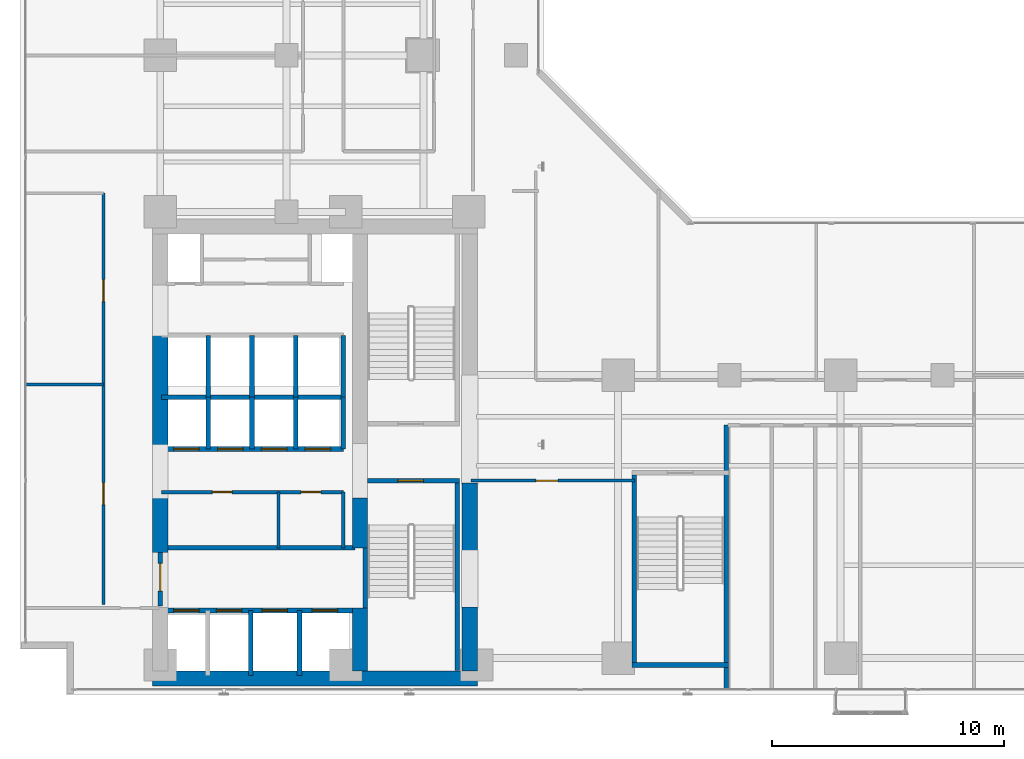
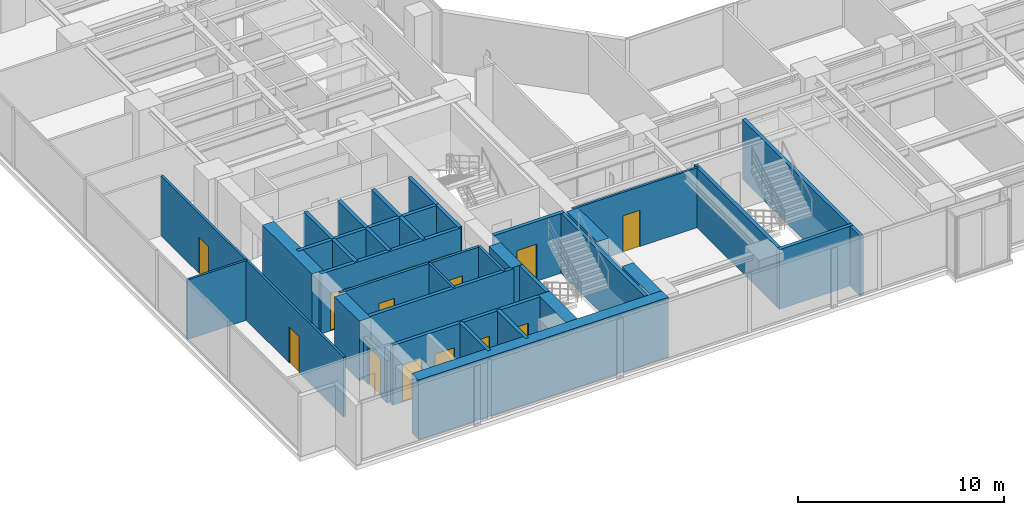
# One storey, part 20 of 27: 34 walls, 15 doors, 15 openings.
"""IFC4 building model written with IfcOpenShell, lengths in metres."""

from ifc_helpers import new_model, si_unit, direction, frame, frame_2d, origin, place, context, subcontext, project, spatial, rectangle, extrude, material, layer, layer_set, type_object, element, fill, save


model = new_model("IFC4")

# Units and contexts
model_context = context("Model", 3, precision=1e-05, world=origin(), true_north=direction((0.0, 1.0)))
body_context = subcontext(model_context, "Body", "Model", "MODEL_VIEW")
ifc_project = project(units=[si_unit("LENGTHUNIT", "METRE"), si_unit("AREAUNIT", "SQUARE_METRE"), si_unit("VOLUMEUNIT", "CUBIC_METRE"), si_unit("PLANEANGLEUNIT", "RADIAN"), si_unit("MASSUNIT", "GRAM", prefix="KILO")], contexts=[model_context])

# Site, building, storey
site_placement = place(None, origin())
site = spatial("IfcSite", under=ifc_project, at=site_placement, CompositionType="ELEMENT")
building_placement = place(site_placement, origin())
building = spatial("IfcBuilding", under=site, at=building_placement, Name="Kolvaren Waterfront Exchange", CompositionType="ELEMENT")
storey_placement = place(building_placement, frame((0.0, 0.0, 118.300048828125)))
storey = spatial("IfcBuildingStorey", under=building, at=storey_placement, Name="L30", CompositionType="ELEMENT", Elevation=118.300048828125)

# Wall, opening, door
ifc_material_1 = material(Name="Precast concrete C40/50", Category="concrete")
ifc_layer_1 = layer(ifc_material_1, 0.199951171875, Name="Precast concrete C40/50")
ifc_layer_set_1 = layer_set([ifc_layer_1], Name="Precast concrete C40/50")
wall_type_1 = type_object("IfcWallType", Name="ARC-FIRE-200", PredefinedType="PARTITIONING", material=ifc_layer_set_1)
wall_1_placement = place(storey_placement, frame((16.39990234375, 12.85009765625, 0.0), z_axis=(0.0, 0.0, 1.0), x_axis=(1.0, 0.0, 0.0)))
wall_1 = element("IfcWall", 1, at=wall_1_placement, inside=storey, type_object=wall_type_1, Name="L30 interior wall PW-L30-ST1-THROAT-S", PredefinedType="PARTITIONING", context=body_context, shape_type="SweptSolid", body=[
    extrude(rectangle(XDim=3.960205078125, YDim=0.199951171875, at=frame_2d((1.97998046875, 0.0))), origin(), (0.0, 0.0, 1.0), 3.5400390625),
])
opening_1_placement = place(wall_1_placement, frame((1.3037109375, 0.0, 0.0)))
opening_1 = element("IfcOpeningElement", 2, at=opening_1_placement, cuts=wall_1, Name="Opening FD2", PredefinedType="OPENING", context=body_context, shape_type="SweptSolid", body=[
    extrude(rectangle(XDim=1.10009765625, YDim=2.199951171875, at=frame_2d((0.550048828125, 1.10009765625))), frame((0.0, 0.10986328125, 0.0), z_axis=(0.0, -1.0, 0.0), x_axis=(1.0, 0.0, 0.0)), (0.0, 0.0, 1.0), 0.219970703125),
])
ifc_material_2 = material(Name="Pressed steel smoke-seal fire door", Category="steel")
door_type_1 = type_object("IfcDoorType", Name="ARC-FD-1100", OperationType="NOTDEFINED", PredefinedType="DOOR", material=ifc_material_2)
door_1_placement = place(opening_1_placement, frame((1.10009765625, 0.0, 0.0), z_axis=(0.0, 0.0, 1.0), x_axis=(-1.0, 0.0, 0.0)))
door_1 = element("IfcDoor", 3, at=door_1_placement, inside=storey, type_object=door_type_1, Name="L30 door DR-L30-ST1-IN (FD2)", OperationType="SINGLE_SWING_LEFT", OverallHeight=2.199951171875, OverallWidth=1.10009765625, PredefinedType="DOOR", context=body_context, shape_type="SweptSolid", body=[
    extrude(rectangle(XDim=1.10009765625, YDim=2.199951171875, at=frame_2d((0.550048828125, 1.10009765625))), frame((0.0, 0.02490234375, 0.0), z_axis=(0.0, -1.0, 0.0), x_axis=(1.0, 0.0, 0.0)), (0.0, 0.0, 1.0), 0.050048828125),
])
fill(opening_1, door_1)

# Wall
wall_2_placement = place(storey_placement, frame((7.5, 9.949951171875, 0.0), z_axis=(0.0, 0.0, 1.0), x_axis=(1.0, 0.0, 0.0)))
element("IfcWall", 4, at=wall_2_placement, inside=storey, type_object=wall_type_1, Name="L30 interior wall PW-L30-FF-N", PredefinedType="PARTITIONING", context=body_context, shape_type="SweptSolid", body=[
    extrude(rectangle(XDim=8.35009765625, YDim=0.199951171875, at=frame_2d((4.175048828125, 0.0))), origin(), (0.0, 0.0, 1.0), 3.5400390625),
])

# Wall, opening, door
wall_3_placement = place(storey_placement, frame((7.449951171875, 7.449951171875, 0.0), z_axis=(0.0, 0.0, 1.0), x_axis=(0.0, 1.0, 0.0)))
wall_3 = element("IfcWall", 5, at=wall_3_placement, inside=storey, type_object=wall_type_1, Name="L30 interior wall PW-L30-FF-W-DOOR", PredefinedType="PARTITIONING", context=body_context, shape_type="SweptSolid", body=[
    extrude(rectangle(XDim=2.300048828125, YDim=0.199951171875, at=frame_2d((1.14990234375, 0.0))), origin(), (0.0, 0.0, 1.0), 2.52001953125),
])
opening_2_placement = place(wall_3_placement, frame((0.63330078125, 0.0, 0.0)))
opening_2 = element("IfcOpeningElement", 6, at=opening_2_placement, cuts=wall_3, Name="Opening FD3", PredefinedType="OPENING", context=body_context, shape_type="SweptSolid", body=[
    extrude(rectangle(XDim=1.199951171875, YDim=2.25, at=frame_2d((0.60009765625, 1.125))), frame((0.0, 0.10986328125, 0.0), z_axis=(0.0, -1.0, 0.0), x_axis=(1.0, 0.0, 0.0)), (0.0, 0.0, 1.0), 0.219970703125),
])
ifc_material_3 = material(Name="Pressed steel fire door", Category="steel")
door_type_2 = type_object("IfcDoorType", Name="ARC-FD-1200", OperationType="NOTDEFINED", PredefinedType="DOOR", material=ifc_material_3)
door_2_placement = place(opening_2_placement, frame((1.199951171875, 0.0, 0.0), z_axis=(0.0, 0.0, 1.0), x_axis=(-1.0, 0.0, 0.0)))
door_2 = element("IfcDoor", 7, at=door_2_placement, inside=storey, type_object=door_type_2, Name="L30 door DR-L30-FF-OUT (FD3)", OperationType="SINGLE_SWING_RIGHT", OverallHeight=2.25, OverallWidth=1.199951171875, PredefinedType="DOOR", context=body_context, shape_type="SweptSolid", body=[
    extrude(rectangle(XDim=1.199951171875, YDim=2.25, at=frame_2d((0.60009765625, 1.125))), frame((0.0, 0.02490234375, 0.0), z_axis=(0.0, -1.0, 0.0), x_axis=(1.0, 0.0, 0.0)), (0.0, 0.0, 1.0), 0.050048828125),
])
fill(opening_2, door_2)

# Wall
ifc_material_4 = material(Name="Acoustic gypsum steel stud", Category="steel")
ifc_layer_2 = layer(ifc_material_4, 0.125, Name="Acoustic gypsum steel stud")
ifc_layer_set_2 = layer_set([ifc_layer_2], Name="Acoustic gypsum steel stud")
wall_type_2 = type_object("IfcWallType", Name="ARC-PART-125", PredefinedType="PARTITIONING", material=ifc_layer_set_2)
wall_4_placement = place(storey_placement, frame((12.550048828125, 9.949951171875, 0.0), z_axis=(0.0, 0.0, 1.0), x_axis=(0.0, 1.0, 0.0)))
element("IfcWall", 8, at=wall_4_placement, inside=storey, type_object=wall_type_2, Name="L30 interior wall PW-L30-REC-PL-MID", PredefinedType="PARTITIONING", context=body_context, shape_type="SweptSolid", body=[
    extrude(rectangle(XDim=2.41015625, YDim=0.125, at=frame_2d((1.205078125, 0.0))), origin(), (0.0, 0.0, 1.0), 3.5400390625),
])

# Wall, openings, doors
wall_5_placement = place(storey_placement, frame((5.0, 7.5, 0.0), z_axis=(0.0, 0.0, 1.0), x_axis=(0.0, 1.0, 0.0)))
wall_5 = element("IfcWall", 9, at=wall_5_placement, inside=storey, type_object=wall_type_2, Name="L30 interior wall PW-L30-WFLANK-E", PredefinedType="PARTITIONING", context=body_context, shape_type="SweptSolid", body=[
    extrude(rectangle(XDim=17.75, YDim=0.125, at=frame_2d((8.875, 0.0))), origin(), (0.0, 0.0, 1.0), 3.5400390625),
])
opening_3_placement = place(wall_5_placement, frame((4.320068359375, 0.0, 0.0)))
opening_3 = element("IfcOpeningElement", 10, at=opening_3_placement, cuts=wall_5, Name="Opening D02", PredefinedType="OPENING", context=body_context, shape_type="SweptSolid", body=[
    extrude(rectangle(XDim=0.949951171875, YDim=2.14990234375, at=frame_2d((0.47509765625, 1.074951171875))), frame((0.0, 0.072509765625, 0.0), z_axis=(0.0, -1.0, 0.0), x_axis=(1.0, 0.0, 0.0)), (0.0, 0.0, 1.0), 0.14501953125),
])
opening_4_placement = place(wall_5_placement, frame((13.078857421875, 0.0, 0.0)))
opening_4 = element("IfcOpeningElement", 11, at=opening_4_placement, cuts=wall_5, Name="Opening D02", PredefinedType="OPENING", context=body_context, shape_type="SweptSolid", body=[
    extrude(rectangle(XDim=0.949951171875, YDim=2.14990234375, at=frame_2d((0.47509765625, 1.074951171875))), frame((0.0, 0.072509765625, 0.0), z_axis=(0.0, -1.0, 0.0), x_axis=(1.0, 0.0, 0.0)), (0.0, 0.0, 1.0), 0.14501953125),
])
ifc_material_5 = material(Name="Oak veneer acoustic timber", Category="wood")
door_type_3 = type_object("IfcDoorType", Name="ARC-DR-950", OperationType="NOTDEFINED", PredefinedType="DOOR", material=ifc_material_5)
door_3_placement = place(opening_3_placement, origin())
door_3 = element("IfcDoor", 12, at=door_3_placement, inside=storey, type_object=door_type_3, Name="L30 door DR-L30-WFL1-D (D02)", OperationType="SINGLE_SWING_LEFT", OverallHeight=2.14990234375, OverallWidth=0.949951171875, PredefinedType="DOOR", context=body_context, shape_type="SweptSolid", body=[
    extrude(rectangle(XDim=0.949951171875, YDim=2.14990234375, at=frame_2d((0.47509765625, 1.074951171875))), frame((0.0, 0.02490234375, 0.0), z_axis=(0.0, -1.0, 0.0), x_axis=(1.0, 0.0, 0.0)), (0.0, 0.0, 1.0), 0.050048828125),
])
fill(opening_3, door_3)
door_4_placement = place(opening_4_placement, origin())
door_4 = element("IfcDoor", 13, at=door_4_placement, inside=storey, type_object=door_type_3, Name="L30 door DR-L30-WFL2-D (D02)", OperationType="SINGLE_SWING_RIGHT", OverallHeight=2.14990234375, OverallWidth=0.949951171875, PredefinedType="DOOR", context=body_context, shape_type="SweptSolid", body=[
    extrude(rectangle(XDim=0.949951171875, YDim=2.14990234375, at=frame_2d((0.47509765625, 1.074951171875))), frame((0.0, 0.02490234375, 0.0), z_axis=(0.0, -1.0, 0.0), x_axis=(1.0, 0.0, 0.0)), (0.0, 0.0, 1.0), 0.050048828125),
])
fill(opening_4, door_4)

# Wall
wall_6_placement = place(storey_placement, frame((1.639892578125, 17.0, 0.0), z_axis=(0.0, 0.0, 1.0), x_axis=(1.0, 0.0, 0.0)))
element("IfcWall", 14, at=wall_6_placement, inside=storey, type_object=wall_type_2, Name="L30 interior wall PW-L30-WFLANK-MID", PredefinedType="PARTITIONING", context=body_context, shape_type="SweptSolid", body=[
    extrude(rectangle(XDim=3.360107421875, YDim=0.125, at=frame_2d((1.68017578125, 0.0))), origin(), (0.0, 0.0, 1.0), 3.5400390625),
])

# Wall, opening, door
wall_7_placement = place(storey_placement, frame((20.85009765625, 12.85009765625, 0.0), z_axis=(0.0, 0.0, 1.0), x_axis=(1.0, 0.0, 0.0)))
wall_7 = element("IfcWall", 15, at=wall_7_placement, inside=storey, type_object=wall_type_2, Name="L30 interior wall PW-L30-SWST3-N", PredefinedType="PARTITIONING", context=body_context, shape_type="SweptSolid", body=[
    extrude(rectangle(XDim=7.0498046875, YDim=0.125, at=frame_2d((3.52490234375, 0.0))), origin(), (0.0, 0.0, 1.0), 3.5400390625),
])
opening_5_placement = place(wall_7_placement, frame((2.800048828125, 0.0, 0.0)))
opening_5 = element("IfcOpeningElement", 16, at=opening_5_placement, cuts=wall_7, Name="Opening D02", PredefinedType="OPENING", context=body_context, shape_type="SweptSolid", body=[
    extrude(rectangle(XDim=0.949951171875, YDim=2.14990234375, at=frame_2d((0.47509765625, 1.074951171875))), frame((0.0, 0.072509765625, 0.0), z_axis=(0.0, -1.0, 0.0), x_axis=(1.0, 0.0, 0.0)), (0.0, 0.0, 1.0), 0.14501953125),
])
door_5_placement = place(opening_5_placement, origin())
door_5 = element("IfcDoor", 17, at=door_5_placement, inside=storey, type_object=door_type_3, Name="L30 door DR-L30-SWST3-D (D02)", OperationType="SINGLE_SWING_LEFT", OverallHeight=2.14990234375, OverallWidth=0.949951171875, PredefinedType="DOOR", context=body_context, shape_type="SweptSolid", body=[
    extrude(rectangle(XDim=0.949951171875, YDim=2.14990234375, at=frame_2d((0.47509765625, 1.074951171875))), frame((0.0, 0.02490234375, 0.0), z_axis=(0.0, -1.0, 0.0), x_axis=(1.0, 0.0, 0.0)), (0.0, 0.0, 1.0), 0.050048828125),
])
fill(opening_5, door_5)

# Wall, openings, doors
ifc_material_6 = material(Name="Gypsum fireboard steel stud", Category="steel")
ifc_layer_3 = layer(ifc_material_6, 0.14990234375, Name="Gypsum fireboard steel stud")
ifc_layer_set_3 = layer_set([ifc_layer_3], Name="Gypsum fireboard steel stud")
wall_type_3 = type_object("IfcWallType", Name="ARC-PART-150", PredefinedType="PARTITIONING", material=ifc_layer_set_3)
wall_8_placement = place(storey_placement, frame((7.5, 12.360107421875, 0.0), z_axis=(0.0, 0.0, 1.0), x_axis=(1.0, 0.0, 0.0)))
wall_8 = element("IfcWall", 18, at=wall_8_placement, inside=storey, type_object=wall_type_3, Name="L30 interior wall PW-L30-REC-PL-N", PredefinedType="PARTITIONING", context=body_context, shape_type="SweptSolid", body=[
    extrude(rectangle(XDim=7.85009765625, YDim=0.14990234375, at=frame_2d((3.925048828125, 0.0))), origin(), (0.0, 0.0, 1.0), 3.5400390625),
])
opening_6_placement = place(wall_8_placement, frame((2.202392578125, 0.0, 0.0)))
opening_6 = element("IfcOpeningElement", 19, at=opening_6_placement, cuts=wall_8, Name="Opening D01", PredefinedType="OPENING", context=body_context, shape_type="SweptSolid", body=[
    extrude(rectangle(XDim=0.85009765625, YDim=2.14990234375, at=frame_2d((0.425048828125, 1.074951171875))), frame((0.0, 0.0849609375, 0.0), z_axis=(0.0, -1.0, 0.0), x_axis=(1.0, 0.0, 0.0)), (0.0, 0.0, 1.0), 0.169921875),
])
opening_7_placement = place(wall_8_placement, frame((6.02490234375, 0.0, 0.0)))
opening_7 = element("IfcOpeningElement", 20, at=opening_7_placement, cuts=wall_8, Name="Opening D01", PredefinedType="OPENING", context=body_context, shape_type="SweptSolid", body=[
    extrude(rectangle(XDim=0.85009765625, YDim=2.14990234375, at=frame_2d((0.425048828125, 1.074951171875))), frame((0.0, 0.0849609375, 0.0), z_axis=(0.0, -1.0, 0.0), x_axis=(1.0, 0.0, 0.0)), (0.0, 0.0, 1.0), 0.169921875),
])
ifc_material_7 = material(Name="Oak veneer timber leaf", Category="wood")
door_type_4 = type_object("IfcDoorType", Name="ARC-DR-900", OperationType="NOTDEFINED", PredefinedType="DOOR", material=ifc_material_7)
door_6_placement = place(opening_6_placement, origin())
door_6 = element("IfcDoor", 21, at=door_6_placement, inside=storey, type_object=door_type_4, Name="L30 door DR-L30-REC-PL-D1 (D01)", OperationType="SINGLE_SWING_LEFT", OverallHeight=2.14990234375, OverallWidth=0.85009765625, PredefinedType="DOOR", context=body_context, shape_type="SweptSolid", body=[
    extrude(rectangle(XDim=0.85009765625, YDim=2.14990234375, at=frame_2d((0.425048828125, 1.074951171875))), frame((0.0, 0.02490234375, 0.0), z_axis=(0.0, -1.0, 0.0), x_axis=(1.0, 0.0, 0.0)), (0.0, 0.0, 1.0), 0.050048828125),
])
fill(opening_6, door_6)
door_7_placement = place(opening_7_placement, origin())
door_7 = element("IfcDoor", 22, at=door_7_placement, inside=storey, type_object=door_type_4, Name="L30 door DR-L30-REC-PL-D2 (D01)", OperationType="SINGLE_SWING_RIGHT", OverallHeight=2.14990234375, OverallWidth=0.85009765625, PredefinedType="DOOR", context=body_context, shape_type="SweptSolid", body=[
    extrude(rectangle(XDim=0.85009765625, YDim=2.14990234375, at=frame_2d((0.425048828125, 1.074951171875))), frame((0.0, 0.02490234375, 0.0), z_axis=(0.0, -1.0, 0.0), x_axis=(1.0, 0.0, 0.0)), (0.0, 0.0, 1.0), 0.050048828125),
])
fill(opening_7, door_7)

# Walls
wall_9_placement = place(storey_placement, frame((15.35009765625, 9.949951171875, 0.0), z_axis=(0.0, 0.0, 1.0), x_axis=(0.0, 1.0, 0.0)))
element("IfcWall", 23, at=wall_9_placement, inside=storey, type_object=wall_type_3, Name="L30 interior wall PW-L30-REC-PL-E", PredefinedType="PARTITIONING", context=body_context, shape_type="SweptSolid", body=[
    extrude(rectangle(XDim=2.41015625, YDim=0.14990234375, at=frame_2d((1.205078125, 0.0))), origin(), (0.0, 0.0, 1.0), 3.5400390625),
])
ifc_material_8 = material(Name="Concrete C40/50", Category="concrete")
ifc_layer_4 = layer(ifc_material_8, 0.199951171875, Name="Concrete C40/50")
ifc_layer_set_4 = layer_set([ifc_layer_4], Name="Concrete C40/50")
wall_type_4 = type_object("IfcWallType", Name="ARC-SHAFT-200", PredefinedType="PARTITIONING", material=ifc_layer_set_4)
wall_10_placement = place(storey_placement, frame((16.300048828125, 7.360107421875, 0.0), z_axis=(0.0, 0.0, 1.0), x_axis=(0.0, 1.0, 0.0)))
element("IfcWall", 24, at=wall_10_placement, inside=storey, type_object=wall_type_4, Name="L30 structural stairwell wall PW-L30-ST1-W", PredefinedType="SHEAR", context=body_context, shape_type="SweptSolid", body=[
    extrude(rectangle(XDim=2.579833984375, YDim=0.199951171875, at=frame_2d((1.2900390625, 0.0))), origin(), (0.0, 0.0, 1.0), 3.5400390625),
])
wall_11_placement = place(storey_placement, frame((20.260009765625, 4.659912109375, 0.0), z_axis=(0.0, 0.0, 1.0), x_axis=(0.0, 1.0, 0.0)))
element("IfcWall", 25, at=wall_11_placement, inside=storey, type_object=wall_type_4, Name="L30 structural stairwell wall PW-L30-ST1-E", PredefinedType="SHEAR", context=body_context, shape_type="SweptSolid", body=[
    extrude(rectangle(XDim=8.090087890625, YDim=0.199951171875, at=frame_2d((4.044921875, 0.0))), origin(), (0.0, 0.0, 1.0), 3.5400390625),
])
wall_12_placement = place(storey_placement, frame((27.89990234375, 5.0, 0.0), z_axis=(0.0, 0.0, 1.0), x_axis=(0.0, 1.0, 0.0)))
element("IfcWall", 26, at=wall_12_placement, inside=storey, type_object=wall_type_4, Name="L30 structural stairwell wall PW-L30-ST3-W", PredefinedType="SHEAR", context=body_context, shape_type="SweptSolid", body=[
    extrude(rectangle(XDim=8.10009765625, YDim=0.199951171875, at=frame_2d((4.050048828125, 0.0))), origin(), (0.0, 0.0, 1.0), 3.5400390625),
])
wall_13_placement = place(storey_placement, frame((31.860107421875, 3.840087890625, 0.0), z_axis=(0.0, 0.0, 1.0), x_axis=(0.0, 1.0, 0.0)))
element("IfcWall", 27, at=wall_13_placement, inside=storey, type_object=wall_type_4, Name="L30 structural stairwell wall PW-L30-ST3-E", PredefinedType="SHEAR", context=body_context, shape_type="SweptSolid", body=[
    extrude(rectangle(XDim=11.409912109375, YDim=0.199951171875, at=frame_2d((5.705078125, 0.0))), origin(), (0.0, 0.0, 1.0), 3.5400390625),
])
wall_14_placement = place(storey_placement, frame((27.800048828125, 4.89990234375, 0.0), z_axis=(0.0, 0.0, 1.0), x_axis=(1.0, 0.0, 0.0)))
element("IfcWall", 28, at=wall_14_placement, inside=storey, type_object=wall_type_4, Name="L30 structural stairwell wall PW-L30-ST3-S", PredefinedType="SHEAR", context=body_context, shape_type="SweptSolid", body=[
    extrude(rectangle(XDim=4.159912109375, YDim=0.199951171875, at=frame_2d((2.080078125, 0.0))), origin(), (0.0, 0.0, 1.0), 3.5400390625),
])

# Wall, openings, doors
wall_15_placement = place(storey_placement, frame((7.5, 7.25, 0.0), z_axis=(0.0, 0.0, 1.0), x_axis=(1.0, 0.0, 0.0)))
wall_15 = element("IfcWall", 29, at=wall_15_placement, inside=storey, type_object=wall_type_4, Name="L30 interior wall PW-L30-FF-S", PredefinedType="PARTITIONING", context=body_context, shape_type="SweptSolid", body=[
    extrude(rectangle(XDim=8.35009765625, YDim=0.199951171875, at=frame_2d((4.175048828125, 0.0))), origin(), (0.0, 0.0, 1.0), 3.5400390625),
])
opening_8_placement = place(wall_15_placement, frame((0.530029296875, 0.0, 0.0)))
opening_8 = element("IfcOpeningElement", 30, at=opening_8_placement, cuts=wall_15, Name="Opening LD1", PredefinedType="OPENING", context=body_context, shape_type="SweptSolid", body=[
    extrude(rectangle(XDim=1.10009765625, YDim=2.199951171875, at=frame_2d((0.550048828125, 1.10009765625))), frame((0.0, 0.10986328125, 0.0), z_axis=(0.0, -1.0, 0.0), x_axis=(1.0, 0.0, 0.0)), (0.0, 0.0, 1.0), 0.219970703125),
])
opening_9_placement = place(wall_15_placement, frame((2.3701171875, 0.0, 0.0)))
opening_9 = element("IfcOpeningElement", 31, at=opening_9_placement, cuts=wall_15, Name="Opening LD1", PredefinedType="OPENING", context=body_context, shape_type="SweptSolid", body=[
    extrude(rectangle(XDim=1.10009765625, YDim=2.199951171875, at=frame_2d((0.550048828125, 1.10009765625))), frame((0.0, 0.10986328125, 0.0), z_axis=(0.0, -1.0, 0.0), x_axis=(1.0, 0.0, 0.0)), (0.0, 0.0, 1.0), 0.219970703125),
])
opening_10_placement = place(wall_15_placement, frame((4.330078125, 0.0, 0.0)))
opening_10 = element("IfcOpeningElement", 32, at=opening_10_placement, cuts=wall_15, Name="Opening LD1", PredefinedType="OPENING", context=body_context, shape_type="SweptSolid", body=[
    extrude(rectangle(XDim=1.10009765625, YDim=2.199951171875, at=frame_2d((0.550048828125, 1.10009765625))), frame((0.0, 0.10986328125, 0.0), z_axis=(0.0, -1.0, 0.0), x_axis=(1.0, 0.0, 0.0)), (0.0, 0.0, 1.0), 0.219970703125),
])
opening_11_placement = place(wall_15_placement, frame((6.5, 0.0, 0.0)))
opening_11 = element("IfcOpeningElement", 33, at=opening_11_placement, cuts=wall_15, Name="Opening LD1", PredefinedType="OPENING", context=body_context, shape_type="SweptSolid", body=[
    extrude(rectangle(XDim=1.10009765625, YDim=2.199951171875, at=frame_2d((0.550048828125, 1.10009765625))), frame((0.0, 0.10986328125, 0.0), z_axis=(0.0, -1.0, 0.0), x_axis=(1.0, 0.0, 0.0)), (0.0, 0.0, 1.0), 0.219970703125),
])
ifc_material_9 = material(Name="Stainless steel sliding landing door", Category="steel")
door_type_5 = type_object("IfcDoorType", Name="ARC-LD-FF", OperationType="SLIDING_TO_LEFT", PredefinedType="DOOR", material=ifc_material_9)
door_8_placement = place(opening_8_placement, origin())
door_8 = element("IfcDoor", 34, at=door_8_placement, inside=storey, type_object=door_type_5, Name="L30 door LD-L30-FFL1 (LD1)", OperationType="SLIDING_TO_LEFT", OverallHeight=2.199951171875, OverallWidth=1.10009765625, PredefinedType="DOOR", context=body_context, shape_type="SweptSolid", body=[
    extrude(rectangle(XDim=1.10009765625, YDim=2.199951171875, at=frame_2d((0.550048828125, 1.10009765625))), frame((0.0, 0.02490234375, 0.0), z_axis=(0.0, -1.0, 0.0), x_axis=(1.0, 0.0, 0.0)), (0.0, 0.0, 1.0), 0.050048828125),
])
fill(opening_8, door_8)
door_9_placement = place(opening_9_placement, origin())
door_9 = element("IfcDoor", 35, at=door_9_placement, inside=storey, type_object=door_type_5, Name="L30 door LD-L30-FFL2 (LD1)", OperationType="SLIDING_TO_LEFT", OverallHeight=2.199951171875, OverallWidth=1.10009765625, PredefinedType="DOOR", context=body_context, shape_type="SweptSolid", body=[
    extrude(rectangle(XDim=1.10009765625, YDim=2.199951171875, at=frame_2d((0.550048828125, 1.10009765625))), frame((0.0, 0.02490234375, 0.0), z_axis=(0.0, -1.0, 0.0), x_axis=(1.0, 0.0, 0.0)), (0.0, 0.0, 1.0), 0.050048828125),
])
fill(opening_9, door_9)
door_10_placement = place(opening_10_placement, origin())
door_10 = element("IfcDoor", 36, at=door_10_placement, inside=storey, type_object=door_type_5, Name="L30 door LD-L30-GL1 (LD1)", OperationType="SLIDING_TO_LEFT", OverallHeight=2.199951171875, OverallWidth=1.10009765625, PredefinedType="DOOR", context=body_context, shape_type="SweptSolid", body=[
    extrude(rectangle(XDim=1.10009765625, YDim=2.199951171875, at=frame_2d((0.550048828125, 1.10009765625))), frame((0.0, 0.02490234375, 0.0), z_axis=(0.0, -1.0, 0.0), x_axis=(1.0, 0.0, 0.0)), (0.0, 0.0, 1.0), 0.050048828125),
])
fill(opening_10, door_10)
door_11_placement = place(opening_11_placement, origin())
door_11 = element("IfcDoor", 37, at=door_11_placement, inside=storey, type_object=door_type_5, Name="L30 door LD-L30-GL2 (LD1)", OperationType="SLIDING_TO_LEFT", OverallHeight=2.199951171875, OverallWidth=1.10009765625, PredefinedType="DOOR", context=body_context, shape_type="SweptSolid", body=[
    extrude(rectangle(XDim=1.10009765625, YDim=2.199951171875, at=frame_2d((0.550048828125, 1.10009765625))), frame((0.0, 0.02490234375, 0.0), z_axis=(0.0, -1.0, 0.0), x_axis=(1.0, 0.0, 0.0)), (0.0, 0.0, 1.0), 0.050048828125),
])
fill(opening_11, door_11)

# Walls
for number, where, z_axis, x_axis, name in (
    (38, (11.360107421875, 4.449951171875, 0.0), (0.0, 0.0, 1.0), (0.0, 1.0, 0.0), "L30 interior wall PW-L30-SH1-DIV-113"),
    (39, (13.4599609375, 4.449951171875, 0.0), (0.0, 0.0, 1.0), (0.0, 1.0, 0.0), "L30 interior wall PW-L30-SH1-DIV-134"),
):
    element("IfcWall", number, at=place(storey_placement, frame(where, z_axis=z_axis, x_axis=x_axis)), inside=storey, type_object=wall_type_4, Name=name, PredefinedType="PARTITIONING", context=body_context, shape_type="SweptSolid", body=[
        extrude(rectangle(XDim=2.800048828125, YDim=0.199951171875, at=frame_2d((1.39990234375, 0.0))), origin(), (0.0, 0.0, 1.0), 3.5400390625),
    ])

# Wall, openings, doors
wall_16_placement = place(storey_placement, frame((7.5, 14.219970703125, 0.0), z_axis=(0.0, 0.0, 1.0), x_axis=(1.0, 0.0, 0.0)))
wall_16 = element("IfcWall", 40, at=wall_16_placement, inside=storey, type_object=wall_type_4, Name="L30 interior wall PW-L30-PM-S", PredefinedType="PARTITIONING", context=body_context, shape_type="SweptSolid", body=[
    extrude(rectangle(XDim=7.85009765625, YDim=0.199951171875, at=frame_2d((3.925048828125, 0.0))), origin(), (0.0, 0.0, 1.0), 3.5400390625),
])
opening_12_placement = place(wall_16_placement, frame((0.530029296875, 0.0, 0.0)))
opening_12 = element("IfcOpeningElement", 41, at=opening_12_placement, cuts=wall_16, Name="Opening LD2", PredefinedType="OPENING", context=body_context, shape_type="SweptSolid", body=[
    extrude(rectangle(XDim=1.10009765625, YDim=2.199951171875, at=frame_2d((0.550048828125, 1.10009765625))), frame((0.0, 0.10986328125, 0.0), z_axis=(0.0, -1.0, 0.0), x_axis=(1.0, 0.0, 0.0)), (0.0, 0.0, 1.0), 0.219970703125),
])
opening_13_placement = place(wall_16_placement, frame((2.419921875, 0.0, 0.0)))
opening_13 = element("IfcOpeningElement", 42, at=opening_13_placement, cuts=wall_16, Name="Opening LD2", PredefinedType="OPENING", context=body_context, shape_type="SweptSolid", body=[
    extrude(rectangle(XDim=1.10009765625, YDim=2.199951171875, at=frame_2d((0.550048828125, 1.10009765625))), frame((0.0, 0.10986328125, 0.0), z_axis=(0.0, -1.0, 0.0), x_axis=(1.0, 0.0, 0.0)), (0.0, 0.0, 1.0), 0.219970703125),
])
opening_14_placement = place(wall_16_placement, frame((4.31005859375, 0.0, 0.0)))
opening_14 = element("IfcOpeningElement", 43, at=opening_14_placement, cuts=wall_16, Name="Opening LD2", PredefinedType="OPENING", context=body_context, shape_type="SweptSolid", body=[
    extrude(rectangle(XDim=1.10009765625, YDim=2.199951171875, at=frame_2d((0.550048828125, 1.10009765625))), frame((0.0, 0.10986328125, 0.0), z_axis=(0.0, -1.0, 0.0), x_axis=(1.0, 0.0, 0.0)), (0.0, 0.0, 1.0), 0.219970703125),
])
opening_15_placement = place(wall_16_placement, frame((6.199951171875, 0.0, 0.0)))
opening_15 = element("IfcOpeningElement", 44, at=opening_15_placement, cuts=wall_16, Name="Opening LD2", PredefinedType="OPENING", context=body_context, shape_type="SweptSolid", body=[
    extrude(rectangle(XDim=1.10009765625, YDim=2.199951171875, at=frame_2d((0.550048828125, 1.10009765625))), frame((0.0, 0.10986328125, 0.0), z_axis=(0.0, -1.0, 0.0), x_axis=(1.0, 0.0, 0.0)), (0.0, 0.0, 1.0), 0.219970703125),
])
ifc_material_10 = material(Name="Brushed bronze sliding landing door", Category="aluminium")
door_type_6 = type_object("IfcDoorType", Name="ARC-LD-PAX", OperationType="SLIDING_TO_LEFT", PredefinedType="DOOR", material=ifc_material_10)
door_12_placement = place(opening_12_placement, frame((1.10009765625, 0.0, 0.0), z_axis=(0.0, 0.0, 1.0), x_axis=(-1.0, 0.0, 0.0)))
door_12 = element("IfcDoor", 45, at=door_12_placement, inside=storey, type_object=door_type_6, Name="L30 door LD-L30-PM1 (LD2)", OperationType="SLIDING_TO_LEFT", OverallHeight=2.199951171875, OverallWidth=1.10009765625, PredefinedType="DOOR", context=body_context, shape_type="SweptSolid", body=[
    extrude(rectangle(XDim=1.10009765625, YDim=2.199951171875, at=frame_2d((0.550048828125, 1.10009765625))), frame((0.0, 0.02490234375, 0.0), z_axis=(0.0, -1.0, 0.0), x_axis=(1.0, 0.0, 0.0)), (0.0, 0.0, 1.0), 0.050048828125),
])
fill(opening_12, door_12)
door_13_placement = place(opening_13_placement, frame((1.10009765625, 0.0, 0.0), z_axis=(0.0, 0.0, 1.0), x_axis=(-1.0, 0.0, 0.0)))
door_13 = element("IfcDoor", 46, at=door_13_placement, inside=storey, type_object=door_type_6, Name="L30 door LD-L30-PM2 (LD2)", OperationType="SLIDING_TO_LEFT", OverallHeight=2.199951171875, OverallWidth=1.10009765625, PredefinedType="DOOR", context=body_context, shape_type="SweptSolid", body=[
    extrude(rectangle(XDim=1.10009765625, YDim=2.199951171875, at=frame_2d((0.550048828125, 1.10009765625))), frame((0.0, 0.02490234375, 0.0), z_axis=(0.0, -1.0, 0.0), x_axis=(1.0, 0.0, 0.0)), (0.0, 0.0, 1.0), 0.050048828125),
])
fill(opening_13, door_13)
door_14_placement = place(opening_14_placement, frame((1.10009765625, 0.0, 0.0), z_axis=(0.0, 0.0, 1.0), x_axis=(-1.0, 0.0, 0.0)))
door_14 = element("IfcDoor", 47, at=door_14_placement, inside=storey, type_object=door_type_6, Name="L30 door LD-L30-PM3 (LD2)", OperationType="SLIDING_TO_LEFT", OverallHeight=2.199951171875, OverallWidth=1.10009765625, PredefinedType="DOOR", context=body_context, shape_type="SweptSolid", body=[
    extrude(rectangle(XDim=1.10009765625, YDim=2.199951171875, at=frame_2d((0.550048828125, 1.10009765625))), frame((0.0, 0.02490234375, 0.0), z_axis=(0.0, -1.0, 0.0), x_axis=(1.0, 0.0, 0.0)), (0.0, 0.0, 1.0), 0.050048828125),
])
fill(opening_14, door_14)
door_15_placement = place(opening_15_placement, frame((1.10009765625, 0.0, 0.0), z_axis=(0.0, 0.0, 1.0), x_axis=(-1.0, 0.0, 0.0)))
door_15 = element("IfcDoor", 48, at=door_15_placement, inside=storey, type_object=door_type_6, Name="L30 door LD-L30-PM4 (LD2)", OperationType="SLIDING_TO_LEFT", OverallHeight=2.199951171875, OverallWidth=1.10009765625, PredefinedType="DOOR", context=body_context, shape_type="SweptSolid", body=[
    extrude(rectangle(XDim=1.10009765625, YDim=2.199951171875, at=frame_2d((0.550048828125, 1.10009765625))), frame((0.0, 0.02490234375, 0.0), z_axis=(0.0, -1.0, 0.0), x_axis=(1.0, 0.0, 0.0)), (0.0, 0.0, 1.0), 0.050048828125),
])
fill(opening_15, door_15)

# Walls
wall_17_placement = place(storey_placement, frame((7.5, 16.449951171875, 0.0), z_axis=(0.0, 0.0, 1.0), x_axis=(1.0, 0.0, 0.0)))
element("IfcWall", 49, at=wall_17_placement, inside=storey, type_object=wall_type_4, Name="L30 interior wall PW-L30-PM-N", PredefinedType="PARTITIONING", context=body_context, shape_type="SweptSolid", body=[
    extrude(rectangle(XDim=7.85009765625, YDim=0.199951171875, at=frame_2d((3.925048828125, 0.0))), origin(), (0.0, 0.0, 1.0), 3.5400390625),
])
for number, where, z_axis, x_axis, name in (
    (50, (15.35009765625, 14.219970703125, 0.0), (0.0, 0.0, 1.0), (0.0, 1.0, 0.0), "L30 interior wall PW-L30-PM-E"),
    (51, (9.52001953125, 14.219970703125, 0.0), (0.0, 0.0, 1.0), (0.0, 1.0, 0.0), "L30 interior wall PW-L30-SH3-DIV-95"),
    (52, (11.409912109375, 14.219970703125, 0.0), (0.0, 0.0, 1.0), (0.0, 1.0, 0.0), "L30 interior wall PW-L30-SH3-DIV-114"),
    (53, (13.300048828125, 14.219970703125, 0.0), (0.0, 0.0, 1.0), (0.0, 1.0, 0.0), "L30 interior wall PW-L30-SH3-DIV-133"),
):
    element("IfcWall", number, at=place(storey_placement, frame(where, z_axis=z_axis, x_axis=x_axis)), inside=storey, type_object=wall_type_4, Name=name, PredefinedType="PARTITIONING", context=body_context, shape_type="SweptSolid", body=[
        extrude(rectangle(XDim=2.22998046875, YDim=0.199951171875, at=frame_2d((1.114990234375, 0.0))), origin(), (0.0, 0.0, 1.0), 3.5400390625),
    ])
for number, where, z_axis, x_axis, name in (
    (54, (15.35009765625, 16.449951171875, 0.0), (0.0, 0.0, 1.0), (0.0, 1.0, 0.0), "L30 interior wall PW-L30-PH-E"),
    (55, (9.52001953125, 16.449951171875, 0.0), (0.0, 0.0, 1.0), (0.0, 1.0, 0.0), "L30 interior wall PW-L30-SH4-DIV-95"),
    (56, (11.409912109375, 16.449951171875, 0.0), (0.0, 0.0, 1.0), (0.0, 1.0, 0.0), "L30 interior wall PW-L30-SH4-DIV-114"),
    (57, (13.300048828125, 16.449951171875, 0.0), (0.0, 0.0, 1.0), (0.0, 1.0, 0.0), "L30 interior wall PW-L30-SH4-DIV-133"),
):
    element("IfcWall", number, at=place(storey_placement, frame(where, z_axis=z_axis, x_axis=x_axis)), inside=storey, type_object=wall_type_4, Name=name, PredefinedType="PARTITIONING", context=body_context, shape_type="SweptSolid", body=[
        extrude(rectangle(XDim=2.670166015625, YDim=0.199951171875, at=frame_2d((1.3349609375, 0.0))), origin(), (0.0, 0.0, 1.0), 3.5400390625),
    ])
ifc_material_11 = material(Name="Concrete C60/75", Category="concrete")
ifc_layer_5 = layer(ifc_material_11, 0.64990234375, Name="Concrete C60/75")
ifc_layer_set_5 = layer_set([ifc_layer_5], Name="Concrete C60/75")
wall_type_5 = type_object("IfcWallType", Name="STR-CWALL-650", PredefinedType="SHEAR", material=ifc_layer_set_5)
wall_18_placement = place(storey_placement, frame((7.125, 4.324951171875, 0.0), z_axis=(0.0, 0.0, 1.0), x_axis=(1.0, 0.0, 0.0)))
element("IfcWall", 58, at=wall_18_placement, inside=storey, type_object=wall_type_5, Name="L30 rear-core shear wall S", PredefinedType="SHEAR", context=body_context, shape_type="SweptSolid", body=[
    extrude(rectangle(XDim=14.0, YDim=0.64990234375, at=frame_2d((7.0, 0.0))), origin(), (0.0, 0.0, 1.0), 3.5400390625),
])
wall_19_placement = place(storey_placement, frame((7.449951171875, 9.75, 0.0), z_axis=(0.0, 0.0, 1.0), x_axis=(0.0, 1.0, 0.0)))
element("IfcWall", 59, at=wall_19_placement, inside=storey, type_object=wall_type_5, Name="L30 rear-core shear wall W2A", PredefinedType="SHEAR", context=body_context, shape_type="SweptSolid", body=[
    extrude(rectangle(XDim=2.39990234375, YDim=0.64990234375, at=frame_2d((1.199951171875, 0.0))), origin(), (0.0, 0.0, 1.0), 3.5400390625),
])
wall_20_placement = place(storey_placement, frame((7.449951171875, 14.35009765625, 0.0), z_axis=(0.0, 0.0, 1.0), x_axis=(0.0, 1.0, 0.0)))
element("IfcWall", 60, at=wall_20_placement, inside=storey, type_object=wall_type_5, Name="L30 rear-core shear wall W2B", PredefinedType="SHEAR", context=body_context, shape_type="SweptSolid", body=[
    extrude(rectangle(XDim=4.809814453125, YDim=0.64990234375, at=frame_2d((2.40478515625, 0.0))), origin(), (0.0, 0.0, 1.0), 3.5400390625),
])
wall_21_placement = place(storey_placement, frame((20.800048828125, 4.64990234375, 0.0), z_axis=(0.0, 0.0, 1.0), x_axis=(0.0, 1.0, 0.0)))
element("IfcWall", 61, at=wall_21_placement, inside=storey, type_object=wall_type_5, Name="L30 rear-core shear wall E1", PredefinedType="SHEAR", context=body_context, shape_type="SweptSolid", body=[
    extrude(rectangle(XDim=2.75, YDim=0.64990234375, at=frame_2d((1.375, 0.0))), origin(), (0.0, 0.0, 1.0), 3.5400390625),
])
wall_22_placement = place(storey_placement, frame((20.800048828125, 9.800048828125, 0.0), z_axis=(0.0, 0.0, 1.0), x_axis=(0.0, 1.0, 0.0)))
element("IfcWall", 62, at=wall_22_placement, inside=storey, type_object=wall_type_5, Name="L30 rear-core shear wall E2", PredefinedType="SHEAR", context=body_context, shape_type="SweptSolid", body=[
    extrude(rectangle(XDim=2.949951171875, YDim=0.64990234375, at=frame_2d((1.47509765625, 0.0))), origin(), (0.0, 0.0, 1.0), 3.5400390625),
])
wall_23_placement = place(storey_placement, frame((16.074951171875, 4.64990234375, 0.0), z_axis=(0.0, 0.0, 1.0), x_axis=(0.0, 1.0, 0.0)))
element("IfcWall", 63, at=wall_23_placement, inside=storey, type_object=wall_type_5, Name="L30 rear-core shear wall M1", PredefinedType="SHEAR", context=body_context, shape_type="SweptSolid", body=[
    extrude(rectangle(XDim=2.7001953125, YDim=0.64990234375, at=frame_2d((1.35009765625, 0.0))), origin(), (0.0, 0.0, 1.0), 3.5400390625),
])
wall_24_placement = place(storey_placement, frame((16.074951171875, 9.949951171875, 0.0), z_axis=(0.0, 0.0, 1.0), x_axis=(0.0, 1.0, 0.0)))
element("IfcWall", 64, at=wall_24_placement, inside=storey, type_object=wall_type_5, Name="L30 rear-core shear wall M2", PredefinedType="SHEAR", context=body_context, shape_type="SweptSolid", body=[
    extrude(rectangle(XDim=2.150146484375, YDim=0.64990234375, at=frame_2d((1.0751953125, 0.0))), origin(), (0.0, 0.0, 1.0), 3.5400390625),
])

save(model, "model.ifc")
